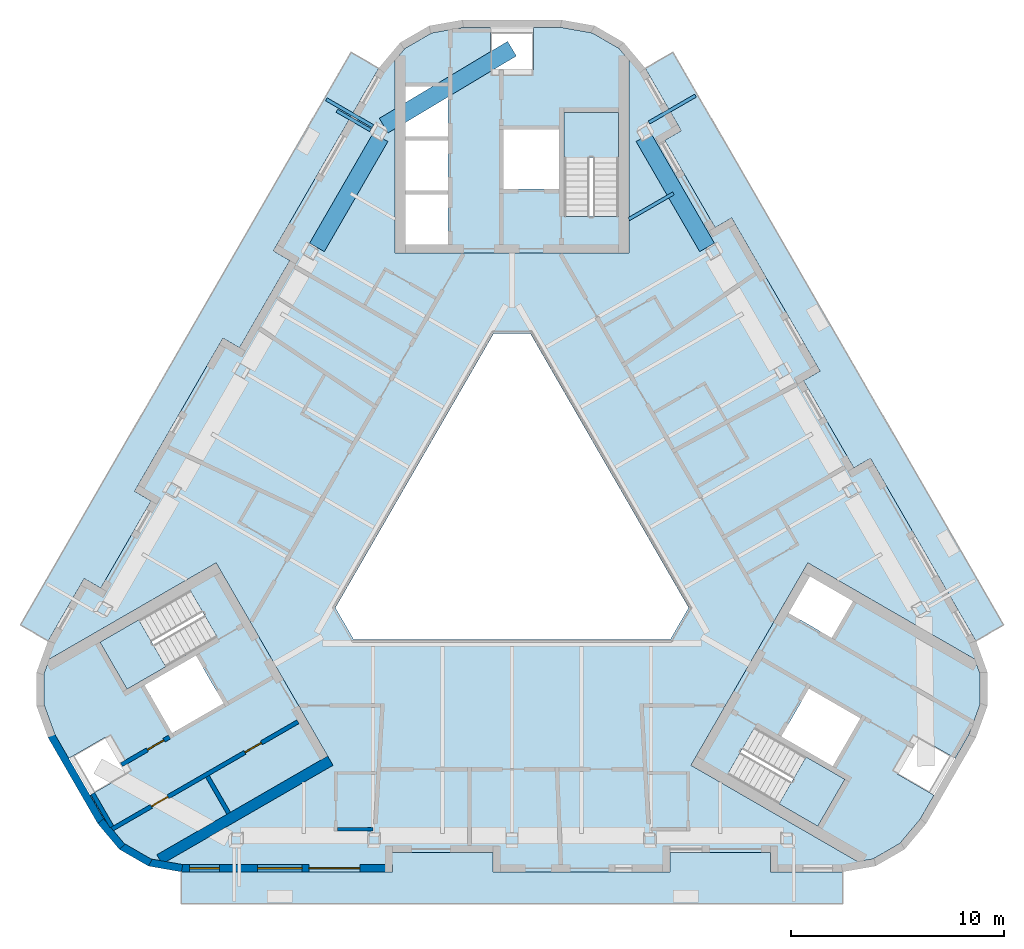
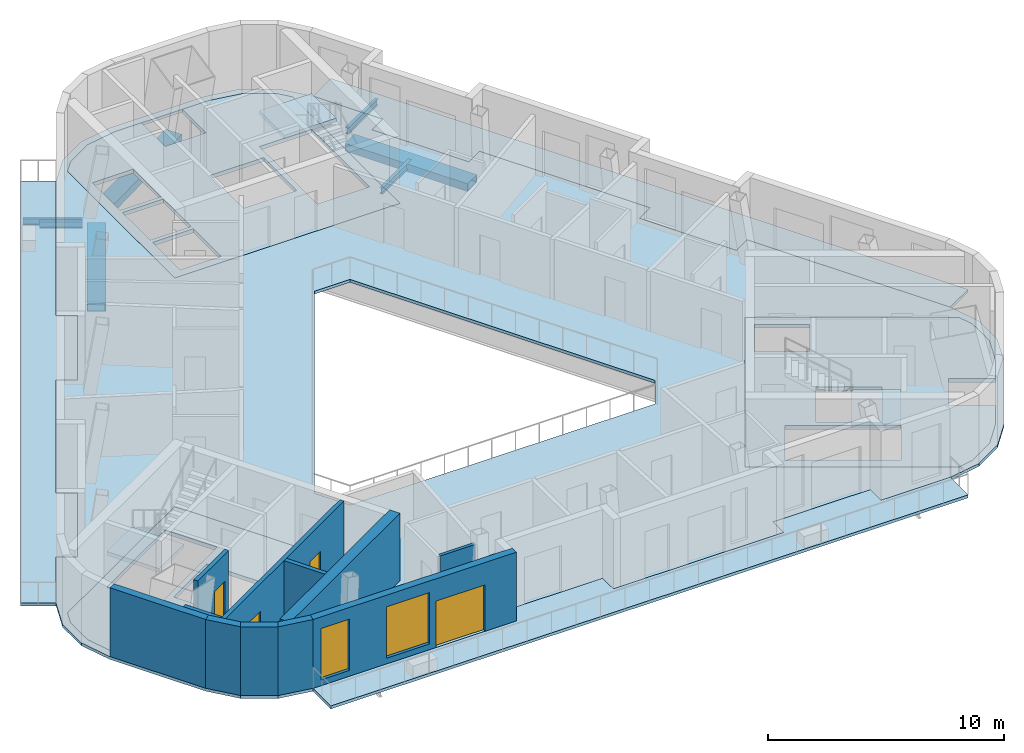
# One storey, part 2 of 11: 11 walls, 10 slabs, 7 beams, 4 doors, 2 windows, 6 openings, 3 elements without a shape of their own.
"""IFC4 building model written with IfcOpenShell, lengths in metres."""

from ifc_helpers import new_model, si_unit, direction, frame, frame_2d, origin, origin_2d, place, context, subcontext, project, spatial, polyline, rectangle, hollow_rectangle, i_section, outline, extrude, material, layer, layer_set, material_profile, profile_set, type_object, element, fill, aggregate, save


model = new_model("IFC4")

# Units and contexts
model_context = context("Model", 3, precision=1e-05, world=origin(), true_north=direction((0.0, 1.0)))
body_context = subcontext(model_context, "Body", "Model", "MODEL_VIEW")
ifc_project = project(units=[si_unit("LENGTHUNIT", "METRE"), si_unit("AREAUNIT", "SQUARE_METRE"), si_unit("VOLUMEUNIT", "CUBIC_METRE"), si_unit("PLANEANGLEUNIT", "RADIAN"), si_unit("MASSUNIT", "GRAM", prefix="KILO")], contexts=[model_context])

# Site, building, storey
site_placement = place(None, origin())
site = spatial("IfcSite", under=ifc_project, at=site_placement, CompositionType="ELEMENT")
building_placement = place(site_placement, origin())
building = spatial("IfcBuilding", under=site, at=building_placement, Name="Apuvela Tower Hotel", CompositionType="ELEMENT")
storey_placement = place(building_placement, frame((0.0, 0.0, 320.699951171875)))
storey = spatial("IfcBuildingStorey", under=building, at=storey_placement, Name="L80", CompositionType="ELEMENT", Elevation=320.699951171875)

# Beams
ifc_material_1 = material(Name="Steel S355", Category="steel")
ifc_material_profile_1 = material_profile(ifc_material_1, i_section(OverallWidth=0.159912109375, OverallDepth=0.330078125, WebThickness=0.007568359375, FlangeThickness=0.011474609375, at=origin_2d()), Name="IPE 330")
ifc_profile_set_1 = profile_set([ifc_material_profile_1], Name="Steel S355")
beam_type_1 = type_object("IfcBeamType", Name="ENV-BALCONY-BEAM-IPE330", PredefinedType="BEAM", material=ifc_profile_set_1)
for number, where, z_axis, x_axis, name in (
    (1, (6.448486328125, 19.035888671875, -0.31494140625), (0.866039067339, 0.499976333282, 0.0), (-0.499976333282, 0.866039067339, 0.0), "Balcony cantilever beam NE3 L80"),
    (2, (-6.548583984375, 18.86279296875, -0.31494140625), (-0.866014894461, 0.50001820224, 0.0), (-0.50001820224, -0.866014894461, 0.0), "Balcony cantilever beam NW1 L80"),
):
    element("IfcBeam", number, at=place(storey_placement, frame(where, z_axis=z_axis, x_axis=x_axis)), inside=storey, type_object=beam_type_1, Name=name, PredefinedType="BEAM", context=body_context, shape_type="SweptSolid", body=[
        extrude(i_section(OverallWidth=0.159912109375, OverallDepth=0.330078125, WebThickness=0.007568359375, FlangeThickness=0.011474609375, at=origin_2d()), origin(), (0.0, 0.0, 1.0), 2.52490234375),
    ])
beam_1_placement = place(storey_placement, frame((-6.658447265625, 18.672119140625, -0.31494140625), z_axis=(-0.866011828767, 0.500023511883, 0.0), x_axis=(-0.500023511883, -0.866011828767, 0.0)))
element("IfcBeam", 3, at=beam_1_placement, inside=storey, type_object=beam_type_1, Name="Balcony cantilever beam NW2 L80", PredefinedType="BEAM", context=body_context, shape_type="SweptSolid", body=[
    extrude(i_section(OverallWidth=0.159912109375, OverallDepth=0.330078125, WebThickness=0.007568359375, FlangeThickness=0.011474609375, at=origin_2d()), origin(), (0.0, 0.0, 1.0), 1.8251953125),
])
ifc_material_profile_2 = material_profile(ifc_material_1, i_section(OverallWidth=0.159912109375, OverallDepth=0.330078125, WebThickness=0.007568359375, FlangeThickness=0.011474609375, at=origin_2d()), Name="IPE 330")
ifc_profile_set_2 = profile_set([ifc_material_profile_2], Name="Steel S355")
beam_type_2 = type_object("IfcBeamType", Name="STR-B floor beam IPE 330", PredefinedType="BEAM", material=ifc_profile_set_2)
beam_2_placement = place(storey_placement, frame((7.5966796875, 15.697265625, -0.31494140625), z_axis=(-0.866037809602, -0.499978511878, 0.0), x_axis=(0.499978511878, -0.866037809602, 0.0)))
element("IfcBeam", 4, at=beam_2_placement, inside=storey, type_object=beam_type_2, Name="Floor beam B1 NE8", PredefinedType="BEAM", context=body_context, shape_type="SweptSolid", body=[
    extrude(i_section(OverallWidth=0.159912109375, OverallDepth=0.330078125, WebThickness=0.007568359375, FlangeThickness=0.011474609375, at=origin_2d()), origin(), (0.0, 0.0, 1.0), 2.4208984375),
])
ifc_material_2 = material(Name="Steel S460", Category="steel")
ifc_material_profile_3 = material_profile(ifc_material_2, hollow_rectangle(XDim=0.800048828125, YDim=0.39990234375, WallThickness=0.02490234375, at=origin_2d()), Name="BOX 800x400x25")
ifc_profile_set_3 = profile_set([ifc_material_profile_3], Name="Steel S460")
beam_type_3 = type_object("IfcBeamType", Name="STR-RB perimeter ring beam BOX 800x400x25", PredefinedType="SPANDREL", material=ifc_profile_set_3)
for number, where, z_axis, x_axis, name in (
    (5, (9.17822265625, 13.15771484375, -0.39990234375), (-0.500002798105, 0.866023788292, 0.0), (-0.866023788292, -0.500002798105, 0.0), "Ring beam RB1 NE4"),
    (6, (-6.18798828125, 18.3369140625, -0.39990234375), (-0.500002798105, -0.866023788292, 0.0), (0.866023788292, -0.500002798105, 0.0), "Ring beam RB1 NW1"),
):
    element("IfcBeam", number, at=place(storey_placement, frame(where, z_axis=z_axis, x_axis=x_axis)), inside=storey, type_object=beam_type_3, Name=name, PredefinedType="SPANDREL", context=body_context, shape_type="SweptSolid", body=[
        extrude(hollow_rectangle(XDim=0.800048828125, YDim=0.39990234375, WallThickness=0.02490234375, at=origin_2d()), origin(), (0.0, 0.0, 1.0), 5.98046875),
    ])
beam_3_placement = place(storey_placement, frame((-6.04052734375, 18.886962890625, -0.39990234375), z_axis=(0.857725309483, 0.514108250733, 0.0), x_axis=(-0.514108250733, 0.857725309483, 0.0)))
element("IfcBeam", 7, at=beam_3_placement, inside=storey, type_object=beam_type_3, Name="Ring beam RB1 NW1-N", PredefinedType="SPANDREL", context=body_context, shape_type="SweptSolid", body=[
    extrude(hollow_rectangle(XDim=0.800048828125, YDim=0.39990234375, WallThickness=0.02490234375, at=origin_2d()), origin(), (0.0, 0.0, 1.0), 7.04248046875),
])

# Slabs
ifc_material_3 = material(Name="Concrete C50/60", Category="concrete")
ifc_layer_1 = layer(ifc_material_3, 0.199951171875)
ifc_layer_set_1 = layer_set([ifc_layer_1], Name="COR-FLOOR-200")
slab_type_1 = type_object("IfcSlabType", Name="COR-FLOOR-200", PredefinedType="FLOOR", material=ifc_layer_set_1)
slab_1_placement = place(storey_placement, frame((0.0, 0.0, -0.199951171875)))
element("IfcSlab", 8, at=slab_1_placement, inside=storey, type_object=slab_type_1, Name="Core floor N", PredefinedType="FLOOR", context=body_context, shape_type="SweptSolid", body=[
    extrude(outline(polyline([(5.03271484375, 22.521484375), (3.772216796875, 23.24951171875), (2.30810546875, 23.507568359375), (1.0, 23.507568359375), (1.0, 21.507568359375), (-1.0, 21.507568359375), (-1.0, 23.507568359375), (-2.30810546875, 23.507568359375), (-3.772216796875, 23.24951171875), (-5.03271484375, 22.521484375), (-5.5, 21.96484375), (-5.5, 12.89990234375), (5.5, 12.89990234375), (5.5, 21.96484375), (5.03271484375, 22.521484375)]), holes=[polyline([(-3.0, 13.300048828125), (-5.0, 13.300048828125), (-5.0, 15.639892578125), (-3.0, 15.639892578125), (-3.0, 13.300048828125)]), polyline([(-3.0, 15.840087890625), (-5.0, 15.840087890625), (-5.0, 18.179931640625), (-3.0, 18.179931640625), (-3.0, 15.840087890625)]), polyline([(5.0, 14.60595703125), (2.449951171875, 14.60595703125), (2.449951171875, 19.5), (5.0, 19.5), (5.0, 14.60595703125)]), polyline([(2.199951171875, 18.699951171875), (2.199951171875, 15.89990234375), (-0.39990234375, 15.89990234375), (-0.39990234375, 18.699951171875), (2.199951171875, 18.699951171875)]), polyline([(-3.0, 20.719970703125), (-3.0, 18.3798828125), (-5.0, 18.3798828125), (-5.0, 20.719970703125), (-3.0, 20.719970703125)])]), origin(), (0.0, 0.0, 1.0), 0.199951171875),
])
slab_2_placement = place(storey_placement, frame((0.0, 0.0, -0.199951171875)))
element("IfcSlab", 9, at=slab_2_placement, inside=storey, type_object=slab_type_1, Name="Core floor SW", PredefinedType="FLOOR", context=body_context, shape_type="SweptSolid", body=[
    extrude(outline(polyline([(-22.020751953125, -6.90234375), (-22.020751953125, -8.35791015625), (-21.51220703125, -9.7548828125), (-20.858154296875, -10.8876953125), (-19.126220703125, -9.8876953125), (-18.126220703125, -11.619873046875), (-19.858154296875, -12.619873046875), (-19.2041015625, -13.752685546875), (-18.24853515625, -14.8916015625), (-16.98779296875, -15.619384765625), (-16.272216796875, -15.74560546875), (-8.421630859375, -11.213134765625), (-13.921630859375, -1.68701171875), (-21.772216796875, -6.21923828125), (-22.020751953125, -6.90234375)]), holes=[polyline([(-13.874267578125, -5.18115234375), (-18.112548828125, -7.628173828125), (-19.387451171875, -5.419921875), (-15.149169921875, -2.972900390625), (-13.874267578125, -5.18115234375)]), polyline([(-13.56982421875, -8.29638671875), (-15.99462890625, -9.6962890625), (-17.294677734375, -7.444580078125), (-14.869873046875, -6.044677734375), (-13.56982421875, -8.29638671875)])]), origin(), (0.0, 0.0, 1.0), 0.199951171875),
])
slab_3_placement = place(storey_placement, frame((0.0, 0.0, -0.199951171875)))
element("IfcSlab", 10, at=slab_3_placement, inside=storey, type_object=slab_type_1, Name="Core floor SE", PredefinedType="FLOOR", context=body_context, shape_type="SweptSolid", body=[
    extrude(outline(polyline([(16.98779296875, -15.619384765625), (18.24853515625, -14.8916015625), (19.2041015625, -13.752685546875), (19.858154296875, -12.619873046875), (18.126220703125, -11.619873046875), (19.126220703125, -9.8876953125), (20.858154296875, -10.8876953125), (21.51220703125, -9.7548828125), (22.020751953125, -8.35791015625), (22.020751953125, -6.90234375), (21.772216796875, -6.21923828125), (13.921630859375, -1.68701171875), (8.421630859375, -11.213134765625), (16.272216796875, -15.74560546875), (16.98779296875, -15.619384765625)]), holes=[polyline([(14.01806640625, -2.31982421875), (16.044677734375, -3.489990234375), (15.044677734375, -5.221923828125), (13.01806640625, -4.052001953125), (14.01806640625, -2.31982421875)]), polyline([(10.149169921875, -11.633056640625), (11.42431640625, -9.4248046875), (15.66259765625, -11.871826171875), (14.387451171875, -14.080078125), (10.149169921875, -11.633056640625)]), polyline([(12.669921875, -9.855224609375), (13.9697265625, -7.603515625), (16.394775390625, -9.003662109375), (15.0947265625, -11.25537109375), (12.669921875, -9.855224609375)])]), origin(), (0.0, 0.0, 1.0), 0.199951171875),
])

# Stair, slab
stair_type = type_object("IfcStairType", Name="COR-STAIR-22R", PredefinedType="HALF_TURN_STAIR", material=ifc_material_3)
stair_1_placement = place(storey_placement, origin())
stair_1 = element("IfcStair", 11, at=stair_1_placement, inside=storey, type_object=stair_type, Name="L80 Exit stair ST1", PredefinedType="HALF_TURN_STAIR")
ifc_layer_2 = layer(ifc_material_3, 0.199951171875)
ifc_layer_set_2 = layer_set([ifc_layer_2], Name="COR-LANDING-200")
slab_type_2 = type_object("IfcSlabType", Name="COR-LANDING-200", PredefinedType="LANDING", material=ifc_layer_set_2)
slab_4_placement = place(storey_placement, frame((0.0, 0.0, 1.650146484375)))
slab_4 = element("IfcSlab", 12, at=slab_4_placement, type_object=slab_type_2, Name="ST1 landing 1", PredefinedType="LANDING", context=body_context, shape_type="SweptSolid", body=[
    extrude(outline(polyline([(5.0, 17.39404296875), (5.0, 19.5), (2.449951171875, 19.5), (2.449951171875, 17.39404296875), (5.0, 17.39404296875)])), origin(), (0.0, 0.0, 1.0), 0.199951171875),
])
aggregate(stair_1, [slab_4])

stair_2_placement = place(storey_placement, origin())
stair_2 = element("IfcStair", 13, at=stair_2_placement, inside=storey, type_object=stair_type, Name="L80 Exit stair ST2", PredefinedType="HALF_TURN_STAIR")
slab_5_placement = place(storey_placement, frame((0.0, 0.0, 1.650146484375)))
slab_5 = element("IfcSlab", 14, at=slab_5_placement, type_object=slab_type_2, Name="ST2 landing 1", PredefinedType="LANDING", context=body_context, shape_type="SweptSolid", body=[
    extrude(outline(polyline([(-17.563720703125, -4.366943359375), (-19.387451171875, -5.419921875), (-18.112548828125, -7.628173828125), (-16.28857421875, -6.5751953125), (-17.563720703125, -4.366943359375)])), origin(), (0.0, 0.0, 1.0), 0.199951171875),
])
aggregate(stair_2, [slab_5])

stair_3_placement = place(storey_placement, origin())
stair_3 = element("IfcStair", 15, at=stair_3_placement, inside=storey, type_object=stair_type, Name="L80 Exit stair ST3", PredefinedType="HALF_TURN_STAIR")
slab_6_placement = place(storey_placement, frame((0.0, 0.0, 1.650146484375)))
slab_6 = element("IfcSlab", 16, at=slab_6_placement, type_object=slab_type_2, Name="ST3 landing 1", PredefinedType="LANDING", context=body_context, shape_type="SweptSolid", body=[
    extrude(outline(polyline([(12.563720703125, -13.027099609375), (14.387451171875, -14.080078125), (15.66259765625, -11.871826171875), (13.838623046875, -10.81884765625), (12.563720703125, -13.027099609375)])), origin(), (0.0, 0.0, 1.0), 0.199951171875),
])
aggregate(stair_3, [slab_6])

# Slabs
ifc_material_4 = material(Name="Concrete C40/50, fair-faced", Category="concrete")
ifc_layer_3 = layer(ifc_material_4, 0.14990234375)
ifc_layer_set_3 = layer_set([ifc_layer_3], Name="ENV-BALCONY-150")
slab_type_3 = type_object("IfcSlabType", Name="ENV-BALCONY-150", PredefinedType="FLOOR", material=ifc_layer_set_3)
slab_7_placement = place(storey_placement, frame((0.0, 0.0, -0.14990234375)))
element("IfcSlab", 17, at=slab_7_placement, inside=storey, type_object=slab_type_3, Name="Balcony slab S L80", PredefinedType="FLOOR", context=body_context, shape_type="SweptSolid", body=[
    extrude(outline(polyline([(15.5595703125, -17.732421875), (-15.559326171875, -17.732421875), (-15.559326171875, -16.222412109375), (-5.635498046875, -16.222412109375), (-5.635498046875, -15.322509765625), (-0.89501953125, -15.322509765625), (-0.89501953125, -16.222412109375), (7.42578125, -16.222412109375), (7.42578125, -15.322509765625), (12.16650390625, -15.322509765625), (12.16650390625, -16.222412109375), (15.5595703125, -16.222412109375), (15.5595703125, -17.732421875)])), origin(), (0.0, 0.0, 1.0), 0.14990234375),
])
slab_8_placement = place(storey_placement, frame((0.0, 0.0, -0.14990234375)))
element("IfcSlab", 18, at=slab_8_placement, inside=storey, type_object=slab_type_3, Name="Balcony slab NE L80", PredefinedType="FLOOR", context=body_context, shape_type="SweptSolid", body=[
    extrude(outline(polyline([(14.49658203125, 7.336181640625), (10.336181640625, 14.5419921875), (9.556884765625, 14.092041015625), (7.1865234375, 18.197509765625), (7.9658203125, 18.647705078125), (6.269287109375, 21.586181640625), (7.576904296875, 22.341064453125), (23.136474609375, -4.608642578125), (21.828857421875, -5.363525390625), (16.866943359375, 3.230712890625), (16.08740234375, 2.780517578125), (13.71728515625, 6.885986328125), (14.49658203125, 7.336181640625)])), origin(), (0.0, 0.0, 1.0), 0.14990234375),
])
slab_9_placement = place(storey_placement, frame((0.0, 0.0, -0.14990234375)))
element("IfcSlab", 19, at=slab_9_placement, inside=storey, type_object=slab_type_3, Name="Balcony slab NW L80", PredefinedType="FLOOR", context=body_context, shape_type="SweptSolid", body=[
    extrude(outline(polyline([(-23.136474609375, -4.608642578125), (-7.5771484375, 22.341064453125), (-6.269287109375, 21.586181640625), (-11.231201171875, 12.99169921875), (-10.451904296875, 12.541748046875), (-12.822021484375, 8.436279296875), (-13.6015625, 8.886474609375), (-17.761962890625, 1.680419921875), (-16.982421875, 1.23046875), (-19.352783203125, -2.875244140625), (-20.13232421875, -2.42529296875), (-21.828857421875, -5.36376953125), (-23.136474609375, -4.608642578125)])), origin(), (0.0, 0.0, 1.0), 0.14990234375),
])
ifc_material_5 = material(Name="Concrete C35/45", Category="concrete")
ifc_layer_4 = layer(ifc_material_5, 0.14990234375)
ifc_layer_set_4 = layer_set([ifc_layer_4], Name="STR-SLAB 150 floor Concrete C35/45")
slab_type_4 = type_object("IfcSlabType", Name="STR-SLAB 150 floor Concrete C35/45", PredefinedType="FLOOR", material=ifc_layer_set_4)
slab_10_placement = place(storey_placement, frame((0.0, 0.0, -0.14990234375)))
element("IfcSlab", 20, at=slab_10_placement, inside=storey, type_object=slab_type_4, Name="Floor slab S4 L80", PredefinedType="FLOOR", context=body_context, shape_type="SweptSolid", body=[
    extrude(outline(polyline([(-5.26123046875, 22.7939453125), (-3.893798828125, 23.58349609375), (-2.338623046875, 23.857666015625), (2.338623046875, 23.857666015625), (3.893798828125, 23.58349609375), (5.26123046875, 22.7939453125), (6.276123046875, 21.584228515625), (7.97265625, 18.645751953125), (7.193359375, 18.19580078125), (9.55859375, 14.098876953125), (10.338134765625, 14.548828125), (14.50341796875, 7.334228515625), (13.72412109375, 6.88427734375), (16.08935546875, 2.78759765625), (16.86865234375, 3.237548828125), (21.83056640625, -5.356689453125), (22.37060546875, -6.840576171875), (22.37060546875, -8.419677734375), (21.83056640625, -9.903564453125), (19.491943359375, -13.9541015625), (18.47705078125, -15.163818359375), (17.109619140625, -15.953369140625), (15.554443359375, -16.2275390625), (12.161376953125, -16.2275390625), (12.161376953125, -15.327392578125), (7.4306640625, -15.327392578125), (7.4306640625, -16.2275390625), (-0.89990234375, -16.2275390625), (-0.89990234375, -15.327392578125), (-5.630615234375, -15.327392578125), (-5.630615234375, -16.2275390625), (-15.554443359375, -16.2275390625), (-17.109619140625, -15.953369140625), (-18.47705078125, -15.163818359375), (-19.491943359375, -13.9541015625), (-21.83056640625, -9.903564453125), (-22.37060546875, -8.419677734375), (-22.37060546875, -6.840576171875), (-21.83056640625, -5.356689453125), (-20.134033203125, -2.418212890625), (-19.354736328125, -2.868408203125), (-16.9892578125, 1.228515625), (-17.768798828125, 1.6787109375), (-13.603515625, 8.893310546875), (-12.823974609375, 8.443115234375), (-10.458740234375, 12.5400390625), (-11.238037109375, 12.989990234375), (-6.276123046875, 21.584228515625), (-5.26123046875, 22.7939453125)]), holes=[polyline([(0.865966796875, 9.10009765625), (-0.865966796875, 9.10009765625), (-8.313720703125, -3.800048828125), (-7.44775390625, -5.300048828125), (7.44775390625, -5.300048828125), (8.313720703125, -3.800048828125), (0.865966796875, 9.10009765625)]), polyline([(-5.5, 12.89990234375), (-5.5, 21.96484375), (-5.03271484375, 22.521484375), (-3.772216796875, 23.24951171875), (-2.30810546875, 23.507568359375), (2.30810546875, 23.507568359375), (3.772216796875, 23.24951171875), (5.03271484375, 22.521484375), (5.5, 21.96484375), (5.5, 12.89990234375), (-5.5, 12.89990234375)]), polyline([(-8.421630859375, -11.213134765625), (-16.272216796875, -15.74560546875), (-16.98779296875, -15.619384765625), (-18.24853515625, -14.8916015625), (-19.2041015625, -13.752685546875), (-21.51220703125, -9.7548828125), (-22.020751953125, -8.35791015625), (-22.020751953125, -6.90234375), (-21.772216796875, -6.21923828125), (-13.921630859375, -1.68701171875), (-8.421630859375, -11.213134765625)]), polyline([(13.921630859375, -1.68701171875), (21.772216796875, -6.21923828125), (22.020751953125, -6.90234375), (22.020751953125, -8.35791015625), (21.51220703125, -9.7548828125), (19.2041015625, -13.752685546875), (18.24853515625, -14.8916015625), (16.98779296875, -15.619384765625), (16.272216796875, -15.74560546875), (8.421630859375, -11.213134765625), (13.921630859375, -1.68701171875)])]), origin(), (0.0, 0.0, 1.0), 0.14990234375),
])

# Wall
ifc_layer_5 = layer(ifc_material_3, 0.5)
ifc_layer_set_5 = layer_set([ifc_layer_5], Name="COR-WALL-CORE-500")
wall_type_1 = type_object("IfcWallType", Name="COR-WALL-CORE-500", PredefinedType="SHEAR", material=ifc_layer_set_5)
wall_1_placement = place(storey_placement, frame((-8.546630859375, -10.99658203125, 0.0), z_axis=(0.0, 0.0, 1.0), x_axis=(-0.866025286072, -0.500000203884, 0.0)))
element("IfcWall", 21, at=wall_1_placement, inside=storey, type_object=wall_type_1, Name="Core wall SW", PredefinedType="SHEAR", context=body_context, shape_type="SweptSolid", body=[
    extrude(rectangle(XDim=9.28271484375, YDim=0.5, at=frame_2d((4.641357421875, 0.0))), origin(), (0.0, 0.0, 1.0), 3.5),
])

# Wall, openings, doors
ifc_layer_6 = layer(ifc_material_3, 0.199951171875)
ifc_layer_set_6 = layer_set([ifc_layer_6], Name="COR-WALL-SHAFT-200")
wall_type_2 = type_object("IfcWallType", Name="COR-WALL-SHAFT-200", PredefinedType="SHEAR", material=ifc_layer_set_6)
wall_2_placement = place(storey_placement, frame((-10.068115234375, -9.16162109375, 0.0), z_axis=(0.0, 0.0, 1.0), x_axis=(-0.866030125237, -0.499991822116, 0.0)))
wall_2 = element("IfcWall", 22, at=wall_2_placement, inside=storey, type_object=wall_type_2, Name="Shaft wall SW", PredefinedType="SHEAR", context=body_context, shape_type="SweptSolid", body=[
    extrude(rectangle(XDim=10.120849609375, YDim=0.199951171875, at=frame_2d((5.060546875, 0.0))), origin(), (0.0, 0.0, 1.0), 3.5),
])
opening_1_placement = place(wall_2_placement, frame((1.989990234375, 0.0, 0.0)))
opening_1 = element("IfcOpeningElement", 23, at=opening_1_placement, cuts=wall_2, Name="Opening W-RE1", PredefinedType="OPENING", context=body_context, shape_type="SweptSolid", body=[
    extrude(rectangle(XDim=0.89990234375, YDim=2.10009765625, at=frame_2d((0.449951171875, 1.050048828125))), frame((0.0, 0.10986328125, 0.0), z_axis=(0.0, -1.0, 0.0), x_axis=(1.0, 0.0, 0.0)), (0.0, 0.0, 1.0), 0.219970703125),
])
opening_2_placement = place(wall_2_placement, frame((7.070068359375, 0.0, 0.0)))
opening_2 = element("IfcOpeningElement", 24, at=opening_2_placement, cuts=wall_2, Name="Opening W-RE3", PredefinedType="OPENING", context=body_context, shape_type="SweptSolid", body=[
    extrude(rectangle(XDim=0.89990234375, YDim=2.10009765625, at=frame_2d((0.449951171875, 1.050048828125))), frame((0.0, 0.10986328125, 0.0), z_axis=(0.0, -1.0, 0.0), x_axis=(1.0, 0.0, 0.0)), (0.0, 0.0, 1.0), 0.219970703125),
])
ifc_material_6 = material(Name="Steel fire door, powder coated", Category="steel")
door_type_1 = type_object("IfcDoorType", Name="COR-DR-900", OperationType="NOTDEFINED", PredefinedType="DOOR", material=ifc_material_6)
door_1_placement = place(opening_1_placement, origin())
door_1 = element("IfcDoor", 25, at=door_1_placement, inside=storey, type_object=door_type_1, Name="Store door W-RE1", OperationType="SINGLE_SWING_LEFT", OverallHeight=2.10009765625, OverallWidth=0.89990234375, PredefinedType="DOOR", context=body_context, shape_type="SweptSolid", body=[
    extrude(rectangle(XDim=0.89990234375, YDim=2.10009765625, at=frame_2d((0.449951171875, 1.050048828125))), frame((0.0, 0.02490234375, 0.0), z_axis=(0.0, -1.0, 0.0), x_axis=(1.0, 0.0, 0.0)), (0.0, 0.0, 1.0), 0.050048828125),
])
fill(opening_1, door_1)
door_2_placement = place(opening_2_placement, origin())
door_2 = element("IfcDoor", 26, at=door_2_placement, inside=storey, type_object=door_type_1, Name="Store door W-RE3", OperationType="SINGLE_SWING_LEFT", OverallHeight=2.10009765625, OverallWidth=0.89990234375, PredefinedType="DOOR", context=body_context, shape_type="SweptSolid", body=[
    extrude(rectangle(XDim=0.89990234375, YDim=2.10009765625, at=frame_2d((0.449951171875, 1.050048828125))), frame((0.0, 0.02490234375, 0.0), z_axis=(0.0, -1.0, 0.0), x_axis=(1.0, 0.0, 0.0)), (0.0, 0.0, 1.0), 0.050048828125),
])
fill(opening_2, door_2)

# Wall
wall_3_placement = place(storey_placement, frame((-19.73046875, -12.5458984375, 0.0), z_axis=(0.0, 0.0, 1.0), x_axis=(0.500004188491, -0.866022985545, 0.0)))
element("IfcWall", 27, at=wall_3_placement, inside=storey, type_object=wall_type_2, Name="Shaft wall SW", PredefinedType="SHEAR", context=body_context, shape_type="SweptSolid", body=[
    extrude(rectangle(XDim=1.80029296875, YDim=0.199951171875, at=frame_2d((0.900146484375, 0.0))), origin(), (0.0, 0.0, 1.0), 3.5),
])

# Wall, opening, door
wall_4_placement = place(storey_placement, frame((-16.117919921875, -9.883056640625, 0.0), z_axis=(0.0, 0.0, 1.0), x_axis=(-0.866045268016, -0.499965592563, 0.0)))
wall_4 = element("IfcWall", 28, at=wall_4_placement, inside=storey, type_object=wall_type_2, Name="Shaft wall SW", PredefinedType="SHEAR", context=body_context, shape_type="SweptSolid", body=[
    extrude(rectangle(XDim=2.607666015625, YDim=0.199951171875, at=frame_2d((1.3037109375, 0.0))), origin(), (0.0, 0.0, 1.0), 3.5),
])
opening_3_placement = place(wall_4_placement, frame((0.300048828125, 0.0, 0.0)))
opening_3 = element("IfcOpeningElement", 29, at=opening_3_placement, cuts=wall_4, Name="Opening W-RDU", PredefinedType="OPENING", context=body_context, shape_type="SweptSolid", body=[
    extrude(rectangle(XDim=0.89990234375, YDim=2.10009765625, at=frame_2d((0.449951171875, 1.050048828125))), frame((0.0, 0.10986328125, 0.0), z_axis=(0.0, -1.0, 0.0), x_axis=(1.0, 0.0, 0.0)), (0.0, 0.0, 1.0), 0.219970703125),
])
door_3_placement = place(opening_3_placement, frame((0.89990234375, 0.0, 0.0), z_axis=(0.0, 0.0, 1.0), x_axis=(-1.0, 0.0, 0.0)))
door_3 = element("IfcDoor", 30, at=door_3_placement, inside=storey, type_object=door_type_1, Name="Store door W-RDU", OperationType="SINGLE_SWING_LEFT", OverallHeight=2.10009765625, OverallWidth=0.89990234375, PredefinedType="DOOR", context=body_context, shape_type="SweptSolid", body=[
    extrude(rectangle(XDim=0.89990234375, YDim=2.10009765625, at=frame_2d((0.449951171875, 1.050048828125))), frame((0.0, 0.02490234375, 0.0), z_axis=(0.0, -1.0, 0.0), x_axis=(1.0, 0.0, 0.0)), (0.0, 0.0, 1.0), 0.050048828125),
])
fill(opening_3, door_3)

# Walls
wall_5_placement = place(storey_placement, frame((-14.330810546875, -11.738037109375, 0.0), z_axis=(0.0, 0.0, 1.0), x_axis=(0.499972520799, -0.866041268327, 0.0)))
element("IfcWall", 31, at=wall_5_placement, inside=storey, type_object=wall_type_2, Name="Shaft wall SW", PredefinedType="SHEAR", context=body_context, shape_type="SweptSolid", body=[
    extrude(rectangle(XDim=2.0, YDim=0.199951171875, at=frame_2d((1.0, 0.0))), origin(), (0.0, 0.0, 1.0), 3.5),
])
ifc_material_7 = material(Name="Concrete C40/50, dark pigmented precast panel", Category="concrete")
ifc_layer_7 = layer(ifc_material_7, 0.35009765625)
ifc_layer_set_7 = layer_set([ifc_layer_7], Name="ENV-WALL-350")
wall_type_3 = type_object("IfcWallType", Name="ENV-WALL-350", PredefinedType="SOLIDWALL", material=ifc_layer_set_7)
wall_6_placement = place(storey_placement, frame((-21.67919921875, -9.81591796875, 0.0), z_axis=(0.0, 0.0, 1.0), x_axis=(0.500023656998, -0.86601174498, 0.0)))
element("IfcWall", 32, at=wall_6_placement, inside=storey, type_object=wall_type_3, Name="External wall L80-13", PredefinedType="SOLIDWALL", context=body_context, shape_type="SweptSolid", body=[
    extrude(rectangle(XDim=4.677490234375, YDim=0.35009765625, at=frame_2d((2.3388671875, 0.0))), origin(), (0.0, 0.0, 1.0), 3.550048828125),
])
for number, where, z_axis, x_axis, name in (
    (33, (-19.35791015625, -13.841552734375, 0.0), (0.0, 0.0, 1.0), (0.642720587594, -0.766100676336, 0.0), "External wall L80-14"),
    (34, (-18.389404296875, -15.01220703125, 0.0), (0.0, 0.0, 1.0), (0.866007919525, -0.500030282404, 0.0), "External wall L80-15"),
    (35, (-17.0791015625, -15.781005859375, 0.0), (0.0, 0.0, 1.0), (0.984813116036, -0.173617759703, 0.0), "External wall L80-16"),
):
    element("IfcWall", number, at=place(storey_placement, frame(where, z_axis=z_axis, x_axis=x_axis)), inside=storey, type_object=wall_type_3, Name=name, PredefinedType="SOLIDWALL", context=body_context, shape_type="SweptSolid", body=[
        extrude(rectangle(XDim=1.5791015625, YDim=0.35009765625, at=frame_2d((0.78955078125, 0.0))), origin(), (0.0, 0.0, 1.0), 3.550048828125),
    ])

# Wall, openings, door, windows
wall_7_placement = place(storey_placement, frame((-15.554443359375, -16.052490234375, 0.0), z_axis=(0.0, 0.0, 1.0), x_axis=(1.0, 0.0, 0.0)))
wall_7 = element("IfcWall", 36, at=wall_7_placement, inside=storey, type_object=wall_type_3, Name="External wall L80-17", PredefinedType="SOLIDWALL", context=body_context, shape_type="SweptSolid", body=[
    extrude(rectangle(XDim=9.923828125, YDim=0.35009765625, at=frame_2d((4.9619140625, 0.0))), origin(), (0.0, 0.0, 1.0), 3.550048828125),
])
opening_4_placement = place(wall_7_placement, frame((0.381103515625, 0.0, 0.300048828125)))
opening_4 = element("IfcOpeningElement", 37, at=opening_4_placement, cuts=wall_7, Name="Opening WN14", PredefinedType="OPENING", context=body_context, shape_type="SweptSolid", body=[
    extrude(rectangle(XDim=1.39990234375, YDim=2.64990234375, at=frame_2d((0.699951171875, 1.324951171875))), frame((0.0, 0.18505859375, 0.0), z_axis=(0.0, -1.0, 0.0), x_axis=(1.0, 0.0, 0.0)), (0.0, 0.0, 1.0), 0.3701171875),
])
opening_5_placement = place(wall_7_placement, frame((5.994873046875, 0.0, 0.0)))
opening_5 = element("IfcOpeningElement", 38, at=opening_5_placement, cuts=wall_7, Name="Opening BD24", PredefinedType="OPENING", context=body_context, shape_type="SweptSolid", body=[
    extrude(rectangle(XDim=2.39990234375, YDim=2.39990234375, at=frame_2d((1.199951171875, 1.199951171875))), frame((0.0, 0.18505859375, 0.0), z_axis=(0.0, -1.0, 0.0), x_axis=(1.0, 0.0, 0.0)), (0.0, 0.0, 1.0), 0.3701171875),
])
opening_6_placement = place(wall_7_placement, frame((3.580078125, 0.0, 0.300048828125)))
opening_6 = element("IfcOpeningElement", 39, at=opening_6_placement, cuts=wall_7, Name="Opening WN21", PredefinedType="OPENING", context=body_context, shape_type="SweptSolid", body=[
    extrude(rectangle(XDim=2.10009765625, YDim=2.64990234375, at=frame_2d((1.050048828125, 1.324951171875))), frame((0.0, 0.18505859375, 0.0), z_axis=(0.0, -1.0, 0.0), x_axis=(1.0, 0.0, 0.0)), (0.0, 0.0, 1.0), 0.3701171875),
])
ifc_material_8 = material(Name="Aluminium 6063-T6, dark bronze anodised frame with dark tinted laminated glass", Category="aluminium")
door_type_2 = type_object("IfcDoorType", Name="ENV-DOOR-BALCONY-2400x2400", OperationType="SLIDING_TO_LEFT", PredefinedType="DOOR", material=ifc_material_8)
door_4_placement = place(opening_5_placement, frame((2.39990234375, 0.0, 0.0), z_axis=(0.0, 0.0, 1.0), x_axis=(-1.0, 0.0, 0.0)))
door_4 = element("IfcDoor", 40, at=door_4_placement, inside=storey, type_object=door_type_2, Name="Balcony door BD24", OperationType="SLIDING_TO_LEFT", OverallHeight=2.39990234375, OverallWidth=2.39990234375, PredefinedType="DOOR", context=body_context, shape_type="SweptSolid", body=[
    extrude(rectangle(XDim=2.39990234375, YDim=2.39990234375, at=frame_2d((1.199951171875, 1.199951171875))), frame((0.0, 0.02490234375, 0.0), z_axis=(0.0, -1.0, 0.0), x_axis=(1.0, 0.0, 0.0)), (0.0, 0.0, 1.0), 0.050048828125),
])
fill(opening_5, door_4)
ifc_material_9 = material(Name="Glass, dark tinted laminated insulated glazing unit", Category="glass")
window_type_1 = type_object("IfcWindowType", Name="ENV-WIN-1400x2650", PartitioningType="SINGLE_PANEL", PredefinedType="WINDOW", material=ifc_material_9)
window_1_placement = place(opening_4_placement, origin())
window_1 = element("IfcWindow", 41, at=window_1_placement, inside=storey, type_object=window_type_1, Name="Window WN14", OverallHeight=2.64990234375, OverallWidth=1.39990234375, PartitioningType="SINGLE_PANEL", PredefinedType="WINDOW", context=body_context, shape_type="SweptSolid", body=[
    extrude(rectangle(XDim=1.39990234375, YDim=2.64990234375, at=frame_2d((0.699951171875, 1.324951171875))), frame((0.0, 0.030029296875, 0.0), z_axis=(0.0, -1.0, 0.0), x_axis=(1.0, 0.0, 0.0)), (0.0, 0.0, 1.0), 0.06005859375),
])
fill(opening_4, window_1)
window_type_2 = type_object("IfcWindowType", Name="ENV-WIN-2100x2650", PartitioningType="SINGLE_PANEL", PredefinedType="WINDOW", material=ifc_material_9)
window_2_placement = place(opening_6_placement, origin())
window_2 = element("IfcWindow", 42, at=window_2_placement, inside=storey, type_object=window_type_2, Name="Window WN21", OverallHeight=2.64990234375, OverallWidth=2.10009765625, PartitioningType="SINGLE_PANEL", PredefinedType="WINDOW", context=body_context, shape_type="SweptSolid", body=[
    extrude(rectangle(XDim=2.10009765625, YDim=2.64990234375, at=frame_2d((1.050048828125, 1.324951171875))), frame((0.0, 0.030029296875, 0.0), z_axis=(0.0, -1.0, 0.0), x_axis=(1.0, 0.0, 0.0)), (0.0, 0.0, 1.0), 0.06005859375),
])
fill(opening_6, window_2)

# Wall
ifc_material_10 = material(Name="Moisture-resistant gypsum board wet wall on steel stud", Category="steel")
ifc_layer_8 = layer(ifc_material_10, 0.14990234375)
ifc_layer_set_8 = layer_set([ifc_layer_8], Name="GST-PW3")
wall_type_4 = type_object("IfcWallType", Name="GST-PW3", PredefinedType="PARTITIONING", material=ifc_layer_set_8)
wall_8_placement = place(storey_placement, frame((-8.218994140625, -14.22509765625, 0.0), z_axis=(0.0, 0.0, 1.0), x_axis=(1.0, 0.0, 0.0)))
element("IfcWall", 43, at=wall_8_placement, inside=storey, type_object=wall_type_4, Name="L80 partition 13", PredefinedType="PARTITIONING", context=body_context, shape_type="SweptSolid", body=[
    extrude(rectangle(XDim=1.6845703125, YDim=0.14990234375, at=frame_2d((0.84228515625, 0.0))), origin(), (0.0, 0.0, 1.0), 3.10009765625),
])

save(model, "model.ifc")
